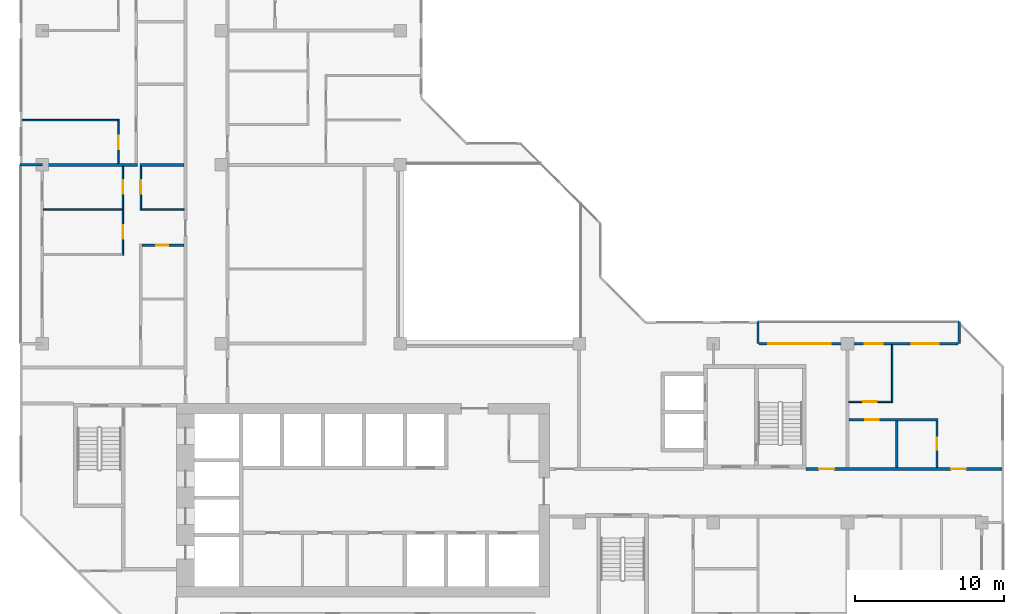
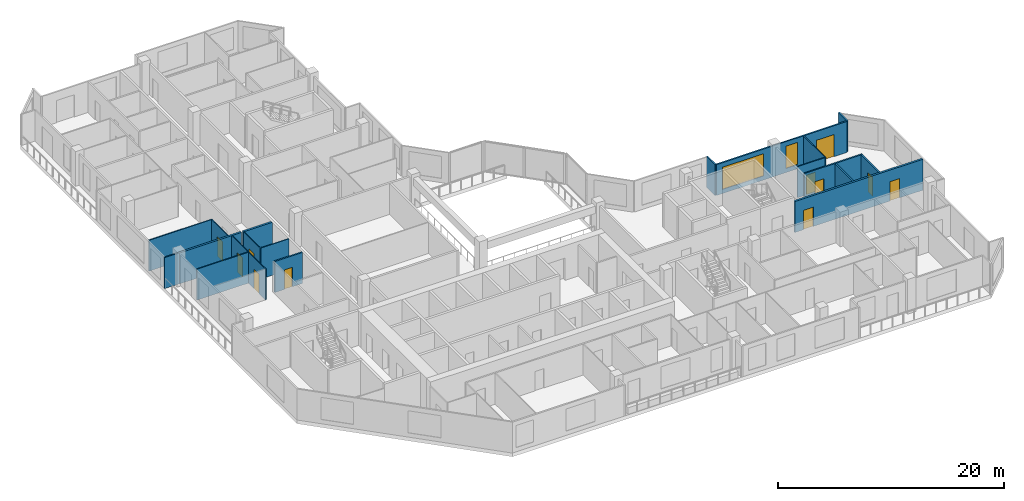
# One storey, part 8 of 14: 19 walls, 11 doors, 2 windows, 13 openings.
"""IFC4 building model written with IfcOpenShell, lengths in metres."""

import ifcopenshell
import ifcopenshell.guid

model = None  # the IFC model being written
_history = None  # IfcOwnerHistory: only IFC2X3 demands one
_inside = {}  # id of a spatial element -> (the spatial element, [elements in it])
_under = {}  # id of a project, library or spatial element -> (it, [spatial elements below it])
_declared = {}  # id of a project -> (the project, [libraries it declares])
_typed = {}  # id of a type object -> (the type object, [elements of that type])
_made_of = {}  # id of a material, layer set ... -> (it, [elements and type objects made of it])


def new_model(schema):
    """Start an empty IFC model of exactly this schema.

    Asked for "IFC4X3", IfcOpenShell would pick the latest addendum, in which some entities
    have other attributes; the version numbers below select the first issue.
    IFC2X3 requires an IfcOwnerHistory on every rooted entity: one is made here for all.
    """
    global model, _history
    if schema == "IFC4X3":
        model = ifcopenshell.file(schema_version=(4, 3, 0, 0))
    else:
        model = ifcopenshell.file(schema=schema)
    _inside.clear()
    _under.clear()
    _declared.clear()
    _typed.clear()
    _made_of.clear()
    _history = None
    if model.schema == "IFC2X3":
        org = make("IfcOrganization", Name="unknown")
        user = make(
            "IfcPersonAndOrganization",
            ThePerson=make("IfcPerson", FamilyName="unknown"),
            TheOrganization=org,
        )
        app = make(
            "IfcApplication",
            ApplicationDeveloper=org,
            Version="unknown",
            ApplicationFullName="unknown",
            ApplicationIdentifier="unknown",
        )
        _history = make(
            "IfcOwnerHistory",
            OwningUser=user,
            OwningApplication=app,
            ChangeAction="ADDED",
            CreationDate=0,
        )
    return model


def make(cls, **values):
    """One entity of the class cls with the attributes given. An attribute that is None is left unset."""
    return model.create_entity(
        cls, **{name: value for name, value in values.items() if value is not None}
    )


def rooted(cls, **values):
    """An entity with a GlobalId (a new one), such as an element, a storey or a relation."""
    return make(cls, GlobalId=ifcopenshell.guid.new(), OwnerHistory=_history, **values)


def si_unit(unit_type, name, prefix=None):
    """IfcSIUnit, for example si_unit("LENGTHUNIT", "METRE", prefix="MILLI")."""
    return make("IfcSIUnit", UnitType=unit_type, Prefix=prefix, Name=name)


def assignment(units):
    """IfcUnitAssignment: the units of a project."""
    return None if units is None else make("IfcUnitAssignment", Units=units)


def point(xyz):
    """IfcCartesianPoint."""
    return None if xyz is None else make("IfcCartesianPoint", Coordinates=xyz)


def direction(xyz):
    """IfcDirection."""
    return None if xyz is None else make("IfcDirection", DirectionRatios=xyz)


def frame(location, z_axis=None, x_axis=None):
    """IfcAxis2Placement3D, a coordinate frame: its origin and axes. An axis left out is left unset."""
    return make(
        "IfcAxis2Placement3D",
        Location=point(location),
        Axis=direction(z_axis),
        RefDirection=direction(x_axis),
    )


def frame_2d(location, x_axis=None):
    """IfcAxis2Placement2D, a coordinate frame in the plane: its origin and x axis."""
    return make(
        "IfcAxis2Placement2D", Location=point(location), RefDirection=direction(x_axis)
    )


def origin():
    """The frame at (0, 0, 0) with its axes left unset."""
    return frame((0.0, 0.0, 0.0))


def place(relative_to, where):
    """IfcLocalPlacement: puts the frame where relative to a parent placement (None: the world)."""
    return make(
        "IfcLocalPlacement", PlacementRelTo=relative_to, RelativePlacement=where
    )


def context(
    kind, dimensions, precision=None, world=None, true_north=None, identifier=None
):
    """IfcGeometricRepresentationContext, for example the 3D "Model" context."""
    return make(
        "IfcGeometricRepresentationContext",
        ContextIdentifier=identifier,
        ContextType=kind,
        CoordinateSpaceDimension=dimensions,
        Precision=precision,
        WorldCoordinateSystem=world,
        TrueNorth=true_north,
    )


def subcontext(parent, identifier, kind, view, scale=None):
    """IfcGeometricRepresentationSubContext, for example "Body" below "Model"."""
    return make(
        "IfcGeometricRepresentationSubContext",
        ContextIdentifier=identifier,
        ContextType=kind,
        ParentContext=parent,
        TargetScale=scale,
        TargetView=view,
    )


def project(units=None, contexts=None):
    """IfcProject with its units and contexts."""
    return rooted(
        "IfcProject",
        Name="project",
        RepresentationContexts=contexts,
        UnitsInContext=assignment(units),
    )


def spatial(cls, under=None, at=None, **own):
    """A site, building, storey or space (cls), placed at a placement, below another one or the project."""
    s = rooted(cls, ObjectPlacement=at, **own)
    if under is not None:
        _under.setdefault(under.id(), (under, []))[1].append(s)
    return s


def profile(cls, at=None, kind="AREA", **sizes):
    """A parametric profile (cls). Its sizes go by their IFC names, for example OverallWidth=200.0."""
    return make(cls, ProfileType=kind, Position=at, **sizes)


def rectangle(**sizes):
    """IfcRectangleProfileDef."""
    return profile("IfcRectangleProfileDef", **sizes)


def extrude(swept, where, along, depth):
    """IfcExtrudedAreaSolid: the profile swept, set in the frame where, extruded along a direction by depth."""
    return make(
        "IfcExtrudedAreaSolid",
        SweptArea=swept,
        Position=where,
        ExtrudedDirection=direction(along),
        Depth=depth,
    )


def shape(context_of_items, identifier, shape_type, items):
    """IfcShapeRepresentation: the items that make up one representation, for example the "Body"."""
    return make(
        "IfcShapeRepresentation",
        ContextOfItems=context_of_items,
        RepresentationIdentifier=identifier,
        RepresentationType=shape_type,
        Items=items,
    )


def material(Name=None, Category=None):
    """IfcMaterial."""
    return make("IfcMaterial", Name=Name, Category=Category)


def layer(
    of_material, thickness, ventilated=None, Name=None, Category=None, Priority=None
):
    """IfcMaterialLayer: one layer of a wall or slab, of a material (None: an air gap)."""
    return make(
        "IfcMaterialLayer",
        Material=of_material,
        LayerThickness=thickness,
        IsVentilated=ventilated,
        Name=Name,
        Category=Category,
        Priority=Priority,
    )


def layer_set(layers, Name=None):
    """IfcMaterialLayerSet."""
    return make("IfcMaterialLayerSet", MaterialLayers=layers, LayerSetName=Name)


def made_of(thing, what):
    """Note that an element or type object is made of a material, layer set ...; save() writes the relation."""
    if what is not None:
        _made_of.setdefault(what.id(), (what, []))[1].append(thing)
    return thing


def type_object(cls, material=None, **own):
    """A type object (cls), such as IfcWallType, which elements share."""
    return made_of(rooted(cls, **own), material)


def element(
    cls,
    number,
    at=None,
    inside=None,
    cuts=None,
    type_object=None,
    material=None,
    context=None,
    identifier="Body",
    shape_type=None,
    held_by="IfcProductDefinitionShape",
    body=None,
    shapes=None,
    **own,
):
    """One element of the class cls, such as IfcWall. Its Tag is "e" and its number.

    at: its placement. inside: the storey or other place that contains it. cuts: it is an
    opening in that element (IfcRelVoidsElement). A single representation is given by context,
    identifier, shape_type and body (its items); several are given by shapes. held_by: the class
    of the entity that holds the representations. save() writes the other relations.
    """
    e = rooted(cls, Tag="e%d" % number, ObjectPlacement=at, **own)
    if body is not None:
        shapes = [shape(context, identifier, shape_type, body)]
    if shapes is not None:
        e.Representation = make(held_by, Representations=shapes)
    if inside is not None:
        _inside.setdefault(inside.id(), (inside, []))[1].append(e)
    if cuts is not None:
        rooted(
            "IfcRelVoidsElement", RelatingBuildingElement=cuts, RelatedOpeningElement=e
        )
    if type_object is not None:
        _typed.setdefault(type_object.id(), (type_object, []))[1].append(e)
    return made_of(e, material)


def fill(opening, filler):
    """IfcRelFillsElement: the door or window that sits in an opening."""
    return rooted(
        "IfcRelFillsElement",
        RelatingOpeningElement=opening,
        RelatedBuildingElement=filler,
    )


def aggregate(whole, parts):
    """IfcRelAggregates: a whole, such as a stair, and the parts it consists of."""
    return rooted("IfcRelAggregates", RelatingObject=whole, RelatedObjects=parts)


def save(model, path):
    """Write the relations noted so far, then the file.

    IfcRelAggregates (storeys below a building ...), IfcRelContainedInSpatialStructure (elements
    in a storey), IfcRelDefinesByType, IfcRelAssociatesMaterial and IfcRelDeclares: one each for
    every whole, place, type object, material and project.
    """
    for whole, parts in _under.values():
        aggregate(whole, parts)
    for where, things in _inside.values():
        rooted(
            "IfcRelContainedInSpatialStructure",
            RelatedElements=things,
            RelatingStructure=where,
        )
    for kind, things in _typed.values():
        rooted("IfcRelDefinesByType", RelatedObjects=things, RelatingType=kind)
    for what, things in _made_of.values():
        rooted("IfcRelAssociatesMaterial", RelatedObjects=things, RelatingMaterial=what)
    for by, libraries in _declared.values():
        rooted("IfcRelDeclares", RelatingContext=by, RelatedDefinitions=libraries)
    model.write(path)


model = new_model("IFC4")

# Units and contexts
model_context = context("Model", 3, precision=1e-05, world=origin(), true_north=direction((0.0, 1.0)))
body_context = subcontext(model_context, "Body", "Model", "MODEL_VIEW")
ifc_project = project(units=[si_unit("LENGTHUNIT", "METRE"), si_unit("AREAUNIT", "SQUARE_METRE"), si_unit("VOLUMEUNIT", "CUBIC_METRE"), si_unit("PLANEANGLEUNIT", "RADIAN"), si_unit("MASSUNIT", "GRAM", prefix="KILO")], contexts=[model_context])

# Site, building, storey
site_placement = place(None, origin())
site = spatial("IfcSite", under=ifc_project, at=site_placement, CompositionType="ELEMENT")
building_placement = place(site_placement, origin())
building = spatial("IfcBuilding", under=site, at=building_placement, Name="Chenar Terraces", CompositionType="ELEMENT")
storey_placement = place(building_placement, frame((0.0, 0.0, 237.89990234375)))
storey = spatial("IfcBuildingStorey", under=building, at=storey_placement, Name="L56", CompositionType="ELEMENT", Elevation=237.89990234375)

# Wall, openings, doors
ifc_material_1 = material(Name="Gypsum board on steel studs with fire boards", Category="steel")
ifc_layer_1 = layer(ifc_material_1, 0.199951171875)
ifc_layer_set_1 = layer_set([ifc_layer_1], Name="Gypsum board on steel studs with fire boards")
wall_type_1 = type_object("IfcWallType", Name="Corridor wall 200", PredefinedType="PARTITIONING", material=ifc_layer_set_1)
wall_1_placement = place(storey_placement, frame((51.22509765625, 15.60009765625, 0.0), z_axis=(0.0, 0.0, 1.0), x_axis=(1.0, 0.0, 0.0)))
wall_1 = element("IfcWall", 1, at=wall_1_placement, inside=storey, type_object=wall_type_1, Name="Partition L56-078", PredefinedType="PARTITIONING", context=body_context, shape_type="SweptSolid", body=[
    extrude(rectangle(XDim=13.125, YDim=0.199951171875, at=frame_2d((6.5625, 0.0))), origin(), (0.0, 0.0, 1.0), 3.35009765625),
])
opening_1_placement = place(wall_1_placement, frame((9.72509765625, 0.0, 0.0)))
opening_1 = element("IfcOpeningElement", 2, at=opening_1_placement, cuts=wall_1, Name="Opening DL56-7", PredefinedType="OPENING", context=body_context, shape_type="SweptSolid", body=[
    extrude(rectangle(XDim=1.0, YDim=2.10009765625, at=frame_2d((0.5, 1.050048828125))), frame((0.0, 0.10986328125, 0.0), z_axis=(0.0, -1.0, 0.0), x_axis=(1.0, 0.0, 0.0)), (0.0, 0.0, 1.0), 0.219970703125),
])
opening_2_placement = place(wall_1_placement, frame((0.875, 0.0, 0.0)))
opening_2 = element("IfcOpeningElement", 3, at=opening_2_placement, cuts=wall_1, Name="Opening DL56-40", PredefinedType="OPENING", context=body_context, shape_type="SweptSolid", body=[
    extrude(rectangle(XDim=1.0, YDim=2.10009765625, at=frame_2d((0.5, 1.050048828125))), frame((0.0, 0.10986328125, 0.0), z_axis=(0.0, -1.0, 0.0), x_axis=(1.0, 0.0, 0.0)), (0.0, 0.0, 1.0), 0.219970703125),
])
ifc_material_2 = material(Name="Steel-framed fire-resisting door leaf", Category="steel")
door_type_1 = type_object("IfcDoorType", Name="Fire door FD30S 1000 x 2100", OperationType="SINGLE_SWING_LEFT", PredefinedType="DOOR", material=ifc_material_2)
door_1_placement = place(opening_1_placement, origin())
door_1 = element("IfcDoor", 4, at=door_1_placement, inside=storey, type_object=door_type_1, Name="Door DL56-7", OperationType="SINGLE_SWING_LEFT", OverallHeight=2.10009765625, OverallWidth=1.0, PredefinedType="DOOR", context=body_context, shape_type="SweptSolid", body=[
    extrude(rectangle(XDim=1.0, YDim=2.10009765625, at=frame_2d((0.5, 1.050048828125))), frame((0.0, 0.02490234375, 0.0), z_axis=(0.0, -1.0, 0.0), x_axis=(1.0, 0.0, 0.0)), (0.0, 0.0, 1.0), 0.050048828125),
])
fill(opening_1, door_1)
door_2_placement = place(opening_2_placement, origin())
door_2 = element("IfcDoor", 5, at=door_2_placement, inside=storey, type_object=door_type_1, Name="Door DL56-40", OperationType="SINGLE_SWING_RIGHT", OverallHeight=2.10009765625, OverallWidth=1.0, PredefinedType="DOOR", context=body_context, shape_type="SweptSolid", body=[
    extrude(rectangle(XDim=1.0, YDim=2.10009765625, at=frame_2d((0.5, 1.050048828125))), frame((0.0, 0.02490234375, 0.0), z_axis=(0.0, -1.0, 0.0), x_axis=(1.0, 0.0, 0.0)), (0.0, 0.0, 1.0), 0.050048828125),
])
fill(opening_2, door_2)

# Wall, openings, windows, door
ifc_material_3 = material(Name="Aluminium framed glazing", Category="aluminium")
ifc_layer_2 = layer(ifc_material_3, 0.14990234375)
ifc_layer_set_2 = layer_set([ifc_layer_2], Name="Aluminium framed glazing")
wall_type_2 = type_object("IfcWallType", Name="Glazed loggia back wall 150", PredefinedType="SOLIDWALL", material=ifc_layer_set_2)
wall_2_placement = place(storey_placement, frame((61.425048828125, 24.0, 0.0), z_axis=(0.0, 0.0, 1.0), x_axis=(-1.0, 0.0, 0.0)))
wall_2 = element("IfcWall", 6, at=wall_2_placement, inside=storey, type_object=wall_type_2, Name="Glazed loggia back wall", PredefinedType="SOLIDWALL", context=body_context, shape_type="SweptSolid", body=[
    extrude(rectangle(XDim=13.35009765625, YDim=0.14990234375, at=frame_2d((6.675048828125, 0.0))), origin(), (0.0, 0.0, 1.0), 3.35009765625),
])
opening_3_placement = place(wall_2_placement, frame((1.3125, 0.0, 0.0)))
opening_3 = element("IfcOpeningElement", 7, at=opening_3_placement, cuts=wall_2, Name="Opening DL56-G1", PredefinedType="OPENING", context=body_context, shape_type="SweptSolid", body=[
    extrude(rectangle(XDim=1.800048828125, YDim=2.39990234375, at=frame_2d((0.89990234375, 1.199951171875))), frame((0.0, 0.0849609375, 0.0), z_axis=(0.0, -1.0, 0.0), x_axis=(1.0, 0.0, 0.0)), (0.0, 0.0, 1.0), 0.169921875),
])
opening_4_placement = place(wall_2_placement, frame((5.0625, 0.0, 0.449951171875)))
opening_4 = element("IfcOpeningElement", 8, at=opening_4_placement, cuts=wall_2, Name="Opening W120x240", PredefinedType="OPENING", context=body_context, shape_type="SweptSolid", body=[
    extrude(rectangle(XDim=1.199951171875, YDim=2.39990234375, at=frame_2d((0.60009765625, 1.199951171875))), frame((0.0, 0.0849609375, 0.0), z_axis=(0.0, -1.0, 0.0), x_axis=(1.0, 0.0, 0.0)), (0.0, 0.0, 1.0), 0.169921875),
])
opening_5_placement = place(wall_2_placement, frame((8.550048828125, 0.0, 0.449951171875)))
opening_5 = element("IfcOpeningElement", 9, at=opening_5_placement, cuts=wall_2, Name="Opening W420x240", PredefinedType="OPENING", context=body_context, shape_type="SweptSolid", body=[
    extrude(rectangle(XDim=4.199951171875, YDim=2.39990234375, at=frame_2d((2.10009765625, 1.199951171875))), frame((0.0, 0.0849609375, 0.0), z_axis=(0.0, -1.0, 0.0), x_axis=(1.0, 0.0, 0.0)), (0.0, 0.0, 1.0), 0.169921875),
])
ifc_material_4 = material(Name="Low emissivity double glazing, aluminium frame", Category="aluminium")
window_type_1 = type_object("IfcWindowType", Name="Fixed light 1200 x 2400", PartitioningType="SINGLE_PANEL", PredefinedType="WINDOW", material=ifc_material_4)
window_1_placement = place(opening_4_placement, origin())
window_1 = element("IfcWindow", 10, at=window_1_placement, inside=storey, type_object=window_type_1, Name="Window", OverallHeight=2.39990234375, OverallWidth=1.199951171875, PartitioningType="SINGLE_PANEL", PredefinedType="WINDOW", context=body_context, shape_type="SweptSolid", body=[
    extrude(rectangle(XDim=1.199951171875, YDim=2.39990234375, at=frame_2d((0.60009765625, 1.199951171875))), frame((0.0, 0.030029296875, 0.0), z_axis=(0.0, -1.0, 0.0), x_axis=(1.0, 0.0, 0.0)), (0.0, 0.0, 1.0), 0.06005859375),
])
fill(opening_4, window_1)
ifc_material_5 = material(Name="Low emissivity double glazing, aluminium frame", Category="aluminium")
window_type_2 = type_object("IfcWindowType", Name="Fixed light 4200 x 2400", PartitioningType="SINGLE_PANEL", PredefinedType="WINDOW", material=ifc_material_5)
window_2_placement = place(opening_5_placement, origin())
window_2 = element("IfcWindow", 11, at=window_2_placement, inside=storey, type_object=window_type_2, Name="Window", OverallHeight=2.39990234375, OverallWidth=4.199951171875, PartitioningType="SINGLE_PANEL", PredefinedType="WINDOW", context=body_context, shape_type="SweptSolid", body=[
    extrude(rectangle(XDim=4.199951171875, YDim=2.39990234375, at=frame_2d((2.10009765625, 1.199951171875))), frame((0.0, 0.030029296875, 0.0), z_axis=(0.0, -1.0, 0.0), x_axis=(1.0, 0.0, 0.0)), (0.0, 0.0, 1.0), 0.06005859375),
])
fill(opening_5, window_2)
ifc_material_6 = material(Name="Low emissivity double glazing, aluminium frame", Category="aluminium")
door_type_2 = type_object("IfcDoorType", Name="Loggia glazed double door 1800 x 2400", OperationType="DOUBLE_DOOR_SINGLE_SWING", PredefinedType="DOOR", material=ifc_material_6)
door_3_placement = place(opening_3_placement, frame((1.800048828125, 0.0, 0.0), z_axis=(0.0, 0.0, 1.0), x_axis=(-1.0, 0.0, 0.0)))
door_3 = element("IfcDoor", 12, at=door_3_placement, inside=storey, type_object=door_type_2, Name="Loggia glazed door", OperationType="DOUBLE_DOOR_SINGLE_SWING", OverallHeight=2.39990234375, OverallWidth=1.800048828125, PredefinedType="DOOR", context=body_context, shape_type="SweptSolid", body=[
    extrude(rectangle(XDim=1.800048828125, YDim=2.39990234375, at=frame_2d((0.89990234375, 1.199951171875))), frame((0.0, 0.02490234375, 0.0), z_axis=(0.0, -1.0, 0.0), x_axis=(1.0, 0.0, 0.0)), (0.0, 0.0, 1.0), 0.050048828125),
])
fill(opening_3, door_3)

# Walls
ifc_material_7 = material(Name="Gypsum board on steel studs", Category="steel")
ifc_layer_3 = layer(ifc_material_7, 0.10009765625)
ifc_layer_set_3 = layer_set([ifc_layer_3], Name="Gypsum board on steel studs")
wall_type_3 = type_object("IfcWallType", Name="Gypsum partition 100", PredefinedType="PARTITIONING", material=ifc_layer_set_3)
wall_3_placement = place(storey_placement, frame((-1.35009765625, 39.0, 0.0), z_axis=(0.0, 0.0, 1.0), x_axis=(1.0, 0.0, 0.0)))
element("IfcWall", 13, at=wall_3_placement, inside=storey, type_object=wall_type_3, Name="Partition L56-004", PredefinedType="PARTITIONING", context=body_context, shape_type="SweptSolid", body=[
    extrude(rectangle(XDim=6.5, YDim=0.10009765625, at=frame_2d((3.25, 0.0))), origin(), (0.0, 0.0, 1.0), 3.35009765625),
])
wall_4_placement = place(storey_placement, frame((0.073974609375, 33.0, 0.0), z_axis=(0.0, 0.0, 1.0), x_axis=(1.0, 0.0, 0.0)))
element("IfcWall", 14, at=wall_4_placement, inside=storey, type_object=wall_type_3, Name="Partition L56-008", PredefinedType="PARTITIONING", context=body_context, shape_type="SweptSolid", body=[
    extrude(rectangle(XDim=5.276123046875, YDim=0.10009765625, at=frame_2d((2.63818359375, 0.0))), origin(), (0.0, 0.0, 1.0), 3.35009765625),
])

# Wall, opening, door
wall_5_placement = place(storey_placement, frame((5.10009765625, 36.10009765625, 0.0), z_axis=(0.0, 0.0, 1.0), x_axis=(0.0, 1.0, 0.0)))
wall_5 = element("IfcWall", 15, at=wall_5_placement, inside=storey, type_object=wall_type_3, Name="Partition L56-013", PredefinedType="PARTITIONING", context=body_context, shape_type="SweptSolid", body=[
    extrude(rectangle(XDim=2.849853515625, YDim=0.10009765625, at=frame_2d((1.4248046875, 0.0))), origin(), (0.0, 0.0, 1.0), 3.35009765625),
])
opening_6_placement = place(wall_5_placement, frame((0.949951171875, 0.0, 0.0)))
opening_6 = element("IfcOpeningElement", 16, at=opening_6_placement, cuts=wall_5, Name="Opening DL56-24", PredefinedType="OPENING", context=body_context, shape_type="SweptSolid", body=[
    extrude(rectangle(XDim=0.89990234375, YDim=2.10009765625, at=frame_2d((0.449951171875, 1.050048828125))), frame((0.0, 0.06005859375, 0.0), z_axis=(0.0, -1.0, 0.0), x_axis=(1.0, 0.0, 0.0)), (0.0, 0.0, 1.0), 0.1201171875),
])
ifc_material_8 = material(Name="Veneered timber door leaf", Category="wood")
door_type_3 = type_object("IfcDoorType", Name="Door 900 x 2100", OperationType="SINGLE_SWING_LEFT", PredefinedType="DOOR", material=ifc_material_8)
door_4_placement = place(opening_6_placement, origin())
door_4 = element("IfcDoor", 17, at=door_4_placement, inside=storey, type_object=door_type_3, Name="Door DL56-24", OperationType="SINGLE_SWING_RIGHT", OverallHeight=2.10009765625, OverallWidth=0.89990234375, PredefinedType="DOOR", context=body_context, shape_type="SweptSolid", body=[
    extrude(rectangle(XDim=0.89990234375, YDim=2.10009765625, at=frame_2d((0.449951171875, 1.050048828125))), frame((0.0, 0.02490234375, 0.0), z_axis=(0.0, -1.0, 0.0), x_axis=(1.0, 0.0, 0.0)), (0.0, 0.0, 1.0), 0.050048828125),
])
fill(opening_6, door_4)

# Wall, openings, doors
wall_6_placement = place(storey_placement, frame((5.39990234375, 29.949951171875, 0.0), z_axis=(0.0, 0.0, 1.0), x_axis=(0.0, 1.0, 0.0)))
wall_6 = element("IfcWall", 18, at=wall_6_placement, inside=storey, type_object=wall_type_3, Name="Partition L56-016", PredefinedType="PARTITIONING", context=body_context, shape_type="SweptSolid", body=[
    extrude(rectangle(XDim=5.949951171875, YDim=0.10009765625, at=frame_2d((2.97509765625, 0.0))), origin(), (0.0, 0.0, 1.0), 3.35009765625),
])
opening_7_placement = place(wall_6_placement, frame((1.10009765625, 0.0, 0.0)))
opening_7 = element("IfcOpeningElement", 19, at=opening_7_placement, cuts=wall_6, Name="Opening DL56-59", PredefinedType="OPENING", context=body_context, shape_type="SweptSolid", body=[
    extrude(rectangle(XDim=0.89990234375, YDim=2.10009765625, at=frame_2d((0.449951171875, 1.050048828125))), frame((0.0, 0.06005859375, 0.0), z_axis=(0.0, -1.0, 0.0), x_axis=(1.0, 0.0, 0.0)), (0.0, 0.0, 1.0), 0.1201171875),
])
opening_8_placement = place(wall_6_placement, frame((4.10009765625, 0.0, 0.0)))
opening_8 = element("IfcOpeningElement", 20, at=opening_8_placement, cuts=wall_6, Name="Opening DL56-60", PredefinedType="OPENING", context=body_context, shape_type="SweptSolid", body=[
    extrude(rectangle(XDim=0.89990234375, YDim=2.10009765625, at=frame_2d((0.449951171875, 1.050048828125))), frame((0.0, 0.06005859375, 0.0), z_axis=(0.0, -1.0, 0.0), x_axis=(1.0, 0.0, 0.0)), (0.0, 0.0, 1.0), 0.1201171875),
])
door_5_placement = place(opening_7_placement, origin())
door_5 = element("IfcDoor", 21, at=door_5_placement, inside=storey, type_object=door_type_3, Name="Door DL56-59", OperationType="SINGLE_SWING_LEFT", OverallHeight=2.10009765625, OverallWidth=0.89990234375, PredefinedType="DOOR", context=body_context, shape_type="SweptSolid", body=[
    extrude(rectangle(XDim=0.89990234375, YDim=2.10009765625, at=frame_2d((0.449951171875, 1.050048828125))), frame((0.0, 0.02490234375, 0.0), z_axis=(0.0, -1.0, 0.0), x_axis=(1.0, 0.0, 0.0)), (0.0, 0.0, 1.0), 0.050048828125),
])
fill(opening_7, door_5)
door_6_placement = place(opening_8_placement, origin())
door_6 = element("IfcDoor", 22, at=door_6_placement, inside=storey, type_object=door_type_3, Name="Door DL56-60", OperationType="SINGLE_SWING_RIGHT", OverallHeight=2.10009765625, OverallWidth=0.89990234375, PredefinedType="DOOR", context=body_context, shape_type="SweptSolid", body=[
    extrude(rectangle(XDim=0.89990234375, YDim=2.10009765625, at=frame_2d((0.449951171875, 1.050048828125))), frame((0.0, 0.02490234375, 0.0), z_axis=(0.0, -1.0, 0.0), x_axis=(1.0, 0.0, 0.0)), (0.0, 0.0, 1.0), 0.050048828125),
])
fill(opening_8, door_6)

# Wall, opening, door
wall_7_placement = place(storey_placement, frame((6.60009765625, 32.949951171875, 0.0), z_axis=(0.0, 0.0, 1.0), x_axis=(0.0, 1.0, 0.0)))
wall_7 = element("IfcWall", 23, at=wall_7_placement, inside=storey, type_object=wall_type_3, Name="Partition L56-027", PredefinedType="PARTITIONING", context=body_context, shape_type="SweptSolid", body=[
    extrude(rectangle(XDim=2.949951171875, YDim=0.10009765625, at=frame_2d((1.47509765625, 0.0))), origin(), (0.0, 0.0, 1.0), 3.35009765625),
])
opening_9_placement = place(wall_7_placement, frame((1.10009765625, 0.0, 0.0)))
opening_9 = element("IfcOpeningElement", 24, at=opening_9_placement, cuts=wall_7, Name="Opening DL56-61", PredefinedType="OPENING", context=body_context, shape_type="SweptSolid", body=[
    extrude(rectangle(XDim=0.89990234375, YDim=2.10009765625, at=frame_2d((0.449951171875, 1.050048828125))), frame((0.0, 0.06005859375, 0.0), z_axis=(0.0, -1.0, 0.0), x_axis=(1.0, 0.0, 0.0)), (0.0, 0.0, 1.0), 0.1201171875),
])
door_7_placement = place(opening_9_placement, frame((0.89990234375, 0.0, 0.0), z_axis=(0.0, 0.0, 1.0), x_axis=(-1.0, 0.0, 0.0)))
door_7 = element("IfcDoor", 25, at=door_7_placement, inside=storey, type_object=door_type_3, Name="Door DL56-61", OperationType="SINGLE_SWING_LEFT", OverallHeight=2.10009765625, OverallWidth=0.89990234375, PredefinedType="DOOR", context=body_context, shape_type="SweptSolid", body=[
    extrude(rectangle(XDim=0.89990234375, YDim=2.10009765625, at=frame_2d((0.449951171875, 1.050048828125))), frame((0.0, 0.02490234375, 0.0), z_axis=(0.0, -1.0, 0.0), x_axis=(1.0, 0.0, 0.0)), (0.0, 0.0, 1.0), 0.050048828125),
])
fill(opening_9, door_7)

# Wall
wall_8_placement = place(storey_placement, frame((6.64990234375, 33.0, 0.0), z_axis=(0.0, 0.0, 1.0), x_axis=(1.0, 0.0, 0.0)))
element("IfcWall", 26, at=wall_8_placement, inside=storey, type_object=wall_type_3, Name="Partition L56-028", PredefinedType="PARTITIONING", context=body_context, shape_type="SweptSolid", body=[
    extrude(rectangle(XDim=2.85009765625, YDim=0.10009765625, at=frame_2d((1.425048828125, 0.0))), origin(), (0.0, 0.0, 1.0), 3.35009765625),
])

# Wall, opening, door
wall_9_placement = place(storey_placement, frame((54.10009765625, 20.10009765625, 0.0), z_axis=(0.0, 0.0, 1.0), x_axis=(1.0, 0.0, 0.0)))
wall_9 = element("IfcWall", 27, at=wall_9_placement, inside=storey, type_object=wall_type_3, Name="Partition L56-084", PredefinedType="PARTITIONING", context=body_context, shape_type="SweptSolid", body=[
    extrude(rectangle(XDim=2.849853515625, YDim=0.10009765625, at=frame_2d((1.4248046875, 0.0))), origin(), (0.0, 0.0, 1.0), 3.35009765625),
])
opening_10_placement = place(wall_9_placement, frame((0.949951171875, 0.0, 0.0)))
opening_10 = element("IfcOpeningElement", 28, at=opening_10_placement, cuts=wall_9, Name="Opening DL56-5", PredefinedType="OPENING", context=body_context, shape_type="SweptSolid", body=[
    extrude(rectangle(XDim=0.89990234375, YDim=2.10009765625, at=frame_2d((0.449951171875, 1.050048828125))), frame((0.0, 0.06005859375, 0.0), z_axis=(0.0, -1.0, 0.0), x_axis=(1.0, 0.0, 0.0)), (0.0, 0.0, 1.0), 0.1201171875),
])
door_8_placement = place(opening_10_placement, origin())
door_8 = element("IfcDoor", 29, at=door_8_placement, inside=storey, type_object=door_type_3, Name="Door DL56-5", OperationType="SINGLE_SWING_RIGHT", OverallHeight=2.10009765625, OverallWidth=0.89990234375, PredefinedType="DOOR", context=body_context, shape_type="SweptSolid", body=[
    extrude(rectangle(XDim=0.89990234375, YDim=2.10009765625, at=frame_2d((0.449951171875, 1.050048828125))), frame((0.0, 0.02490234375, 0.0), z_axis=(0.0, -1.0, 0.0), x_axis=(1.0, 0.0, 0.0)), (0.0, 0.0, 1.0), 0.050048828125),
])
fill(opening_10, door_8)

# Walls
wall_10_placement = place(storey_placement, frame((57.0, 20.050048828125, 0.0), z_axis=(0.0, 0.0, 1.0), x_axis=(0.0, 1.0, 0.0)))
element("IfcWall", 30, at=wall_10_placement, inside=storey, type_object=wall_type_3, Name="Partition L56-086", PredefinedType="PARTITIONING", context=body_context, shape_type="SweptSolid", body=[
    extrude(rectangle(XDim=3.8759765625, YDim=0.10009765625, at=frame_2d((1.93798828125, 0.0))), origin(), (0.0, 0.0, 1.0), 3.35009765625),
])
ifc_material_9 = material(Name="Terracotta cladding on insulated backing", Category="masonry")
ifc_layer_4 = layer(ifc_material_9, 0.14990234375)
ifc_layer_set_4 = layer_set([ifc_layer_4], Name="Terracotta cladding on insulated backing")
wall_type_4 = type_object("IfcWallType", Name="Loggia return wall 150", PredefinedType="SOLIDWALL", material=ifc_layer_set_4)
for number, where, z_axis, x_axis, name in (
    (31, (61.5, 25.5, 0.0), (0.0, 0.0, 1.0), (0.0, -1.0, 0.0), "Loggia return wall"),
    (32, (48.0, 25.5, 0.0), (0.0, 0.0, 1.0), (0.0, -1.0, 0.0), "Loggia return wall"),
    (33, (-1.5, 36.0, 0.0), (0.0, 0.0, 1.0), (1.0, 0.0, 0.0), "Loggia return wall"),
):
    element("IfcWall", number, at=place(storey_placement, frame(where, z_axis=z_axis, x_axis=x_axis)), inside=storey, type_object=wall_type_4, Name=name, PredefinedType="SOLIDWALL", context=body_context, shape_type="SweptSolid", body=[
        extrude(rectangle(XDim=1.5, YDim=0.14990234375, at=frame_2d((0.75, 0.0))), origin(), (0.0, 0.0, 1.0), 3.35009765625),
    ])
ifc_material_10 = material(Name="Twin gypsum board on steel studs with mineral wool", Category="steel")
ifc_layer_5 = layer(ifc_material_10, 0.199951171875)
ifc_layer_set_5 = layer_set([ifc_layer_5], Name="Twin gypsum board on steel studs with mineral wool")
wall_type_5 = type_object("IfcWallType", Name="Unit demising wall 200", PredefinedType="PARTITIONING", material=ifc_layer_set_5)
wall_11_placement = place(storey_placement, frame((0.0, 36.0, 0.0), z_axis=(0.0, 0.0, 1.0), x_axis=(1.0, 0.0, 0.0)))
element("IfcWall", 34, at=wall_11_placement, inside=storey, type_object=wall_type_5, Name="Partition L56-003", PredefinedType="PARTITIONING", context=body_context, shape_type="SweptSolid", body=[
    extrude(rectangle(XDim=6.375, YDim=0.199951171875, at=frame_2d((3.1875, 0.0))), origin(), (0.0, 0.0, 1.0), 3.35009765625),
])
wall_12_placement = place(storey_placement, frame((6.550048828125, 36.0, 0.0), z_axis=(0.0, 0.0, 1.0), x_axis=(1.0, 0.0, 0.0)))
element("IfcWall", 35, at=wall_12_placement, inside=storey, type_object=wall_type_5, Name="Partition L56-025", PredefinedType="PARTITIONING", context=body_context, shape_type="SweptSolid", body=[
    extrude(rectangle(XDim=2.949951171875, YDim=0.199951171875, at=frame_2d((1.47509765625, 0.0))), origin(), (0.0, 0.0, 1.0), 3.35009765625),
])

# Wall, opening, door
ifc_material_11 = material(Name="Moisture-resistant gypsum board on steel studs", Category="steel")
ifc_layer_6 = layer(ifc_material_11, 0.14990234375)
ifc_layer_set_6 = layer_set([ifc_layer_6], Name="Moisture-resistant gypsum board on steel studs")
wall_type_6 = type_object("IfcWallType", Name="Wet-room partition 150", PredefinedType="PARTITIONING", material=ifc_layer_set_6)
wall_13_placement = place(storey_placement, frame((6.675048828125, 30.60009765625, 0.0), z_axis=(0.0, 0.0, 1.0), x_axis=(1.0, 0.0, 0.0)))
wall_13 = element("IfcWall", 36, at=wall_13_placement, inside=storey, type_object=wall_type_6, Name="Partition L56-030", PredefinedType="PARTITIONING", context=body_context, shape_type="SweptSolid", body=[
    extrude(rectangle(XDim=2.824951171875, YDim=0.14990234375, at=frame_2d((1.41259765625, 0.0))), origin(), (0.0, 0.0, 1.0), 3.35009765625),
])
opening_11_placement = place(wall_13_placement, frame((0.97509765625, 0.0, 0.0)))
opening_11 = element("IfcOpeningElement", 37, at=opening_11_placement, cuts=wall_13, Name="Opening DL56-58", PredefinedType="OPENING", context=body_context, shape_type="SweptSolid", body=[
    extrude(rectangle(XDim=0.800048828125, YDim=2.10009765625, at=frame_2d((0.39990234375, 1.050048828125))), frame((0.0, 0.0849609375, 0.0), z_axis=(0.0, -1.0, 0.0), x_axis=(1.0, 0.0, 0.0)), (0.0, 0.0, 1.0), 0.169921875),
])
ifc_material_12 = material(Name="Veneered timber door leaf", Category="wood")
door_type_4 = type_object("IfcDoorType", Name="Door 800 x 2100", OperationType="SINGLE_SWING_LEFT", PredefinedType="DOOR", material=ifc_material_12)
door_9_placement = place(opening_11_placement, frame((0.800048828125, 0.0, 0.0), z_axis=(0.0, 0.0, 1.0), x_axis=(-1.0, 0.0, 0.0)))
door_9 = element("IfcDoor", 38, at=door_9_placement, inside=storey, type_object=door_type_4, Name="Door DL56-58", OperationType="SINGLE_SWING_RIGHT", OverallHeight=2.10009765625, OverallWidth=0.800048828125, PredefinedType="DOOR", context=body_context, shape_type="SweptSolid", body=[
    extrude(rectangle(XDim=0.800048828125, YDim=2.10009765625, at=frame_2d((0.39990234375, 1.050048828125))), frame((0.0, 0.02490234375, 0.0), z_axis=(0.0, -1.0, 0.0), x_axis=(1.0, 0.0, 0.0)), (0.0, 0.0, 1.0), 0.050048828125),
])
fill(opening_11, door_9)

wall_14_placement = place(storey_placement, frame((54.10009765625, 18.89990234375, 0.0), z_axis=(0.0, 0.0, 1.0), x_axis=(1.0, 0.0, 0.0)))
wall_14 = element("IfcWall", 39, at=wall_14_placement, inside=storey, type_object=wall_type_6, Name="Partition L56-083", PredefinedType="PARTITIONING", context=body_context, shape_type="SweptSolid", body=[
    extrude(rectangle(XDim=5.974853515625, YDim=0.14990234375, at=frame_2d((2.9873046875, 0.0))), origin(), (0.0, 0.0, 1.0), 3.35009765625),
])
opening_12_placement = place(wall_14_placement, frame((1.10009765625, 0.0, 0.0)))
opening_12 = element("IfcOpeningElement", 40, at=opening_12_placement, cuts=wall_14, Name="Opening DL56-6", PredefinedType="OPENING", context=body_context, shape_type="SweptSolid", body=[
    extrude(rectangle(XDim=0.89990234375, YDim=2.10009765625, at=frame_2d((0.449951171875, 1.050048828125))), frame((0.0, 0.0849609375, 0.0), z_axis=(0.0, -1.0, 0.0), x_axis=(1.0, 0.0, 0.0)), (0.0, 0.0, 1.0), 0.169921875),
])
door_10_placement = place(opening_12_placement, frame((0.89990234375, 0.0, 0.0), z_axis=(0.0, 0.0, 1.0), x_axis=(-1.0, 0.0, 0.0)))
door_10 = element("IfcDoor", 41, at=door_10_placement, inside=storey, type_object=door_type_3, Name="Door DL56-6", OperationType="SINGLE_SWING_RIGHT", OverallHeight=2.10009765625, OverallWidth=0.89990234375, PredefinedType="DOOR", context=body_context, shape_type="SweptSolid", body=[
    extrude(rectangle(XDim=0.89990234375, YDim=2.10009765625, at=frame_2d((0.449951171875, 1.050048828125))), frame((0.0, 0.02490234375, 0.0), z_axis=(0.0, -1.0, 0.0), x_axis=(1.0, 0.0, 0.0)), (0.0, 0.0, 1.0), 0.050048828125),
])
fill(opening_12, door_10)

# Wall
wall_15_placement = place(storey_placement, frame((57.300048828125, 15.699951171875, 0.0), z_axis=(0.0, 0.0, 1.0), x_axis=(0.0, 1.0, 0.0)))
element("IfcWall", 42, at=wall_15_placement, inside=storey, type_object=wall_type_6, Name="Partition L56-087", PredefinedType="PARTITIONING", context=body_context, shape_type="SweptSolid", body=[
    extrude(rectangle(XDim=3.125, YDim=0.14990234375, at=frame_2d((1.5625, 0.0))), origin(), (0.0, 0.0, 1.0), 3.35009765625),
])

# Wall, opening, door
wall_16_placement = place(storey_placement, frame((60.0, 15.699951171875, 0.0), z_axis=(0.0, 0.0, 1.0), x_axis=(0.0, 1.0, 0.0)))
wall_16 = element("IfcWall", 43, at=wall_16_placement, inside=storey, type_object=wall_type_6, Name="Partition L56-091", PredefinedType="PARTITIONING", context=body_context, shape_type="SweptSolid", body=[
    extrude(rectangle(XDim=3.125, YDim=0.14990234375, at=frame_2d((1.5625, 0.0))), origin(), (0.0, 0.0, 1.0), 3.35009765625),
])
opening_13_placement = place(wall_16_placement, frame((1.199951171875, 0.0, 0.0)))
opening_13 = element("IfcOpeningElement", 44, at=opening_13_placement, cuts=wall_16, Name="Opening DL56-4", PredefinedType="OPENING", context=body_context, shape_type="SweptSolid", body=[
    extrude(rectangle(XDim=0.800048828125, YDim=2.10009765625, at=frame_2d((0.39990234375, 1.050048828125))), frame((0.0, 0.0849609375, 0.0), z_axis=(0.0, -1.0, 0.0), x_axis=(1.0, 0.0, 0.0)), (0.0, 0.0, 1.0), 0.169921875),
])
door_11_placement = place(opening_13_placement, origin())
door_11 = element("IfcDoor", 45, at=door_11_placement, inside=storey, type_object=door_type_4, Name="Door DL56-4", OperationType="SINGLE_SWING_RIGHT", OverallHeight=2.10009765625, OverallWidth=0.800048828125, PredefinedType="DOOR", context=body_context, shape_type="SweptSolid", body=[
    extrude(rectangle(XDim=0.800048828125, YDim=2.10009765625, at=frame_2d((0.39990234375, 1.050048828125))), frame((0.0, 0.02490234375, 0.0), z_axis=(0.0, -1.0, 0.0), x_axis=(1.0, 0.0, 0.0)), (0.0, 0.0, 1.0), 0.050048828125),
])
fill(opening_13, door_11)

save(model, "model.ifc")
